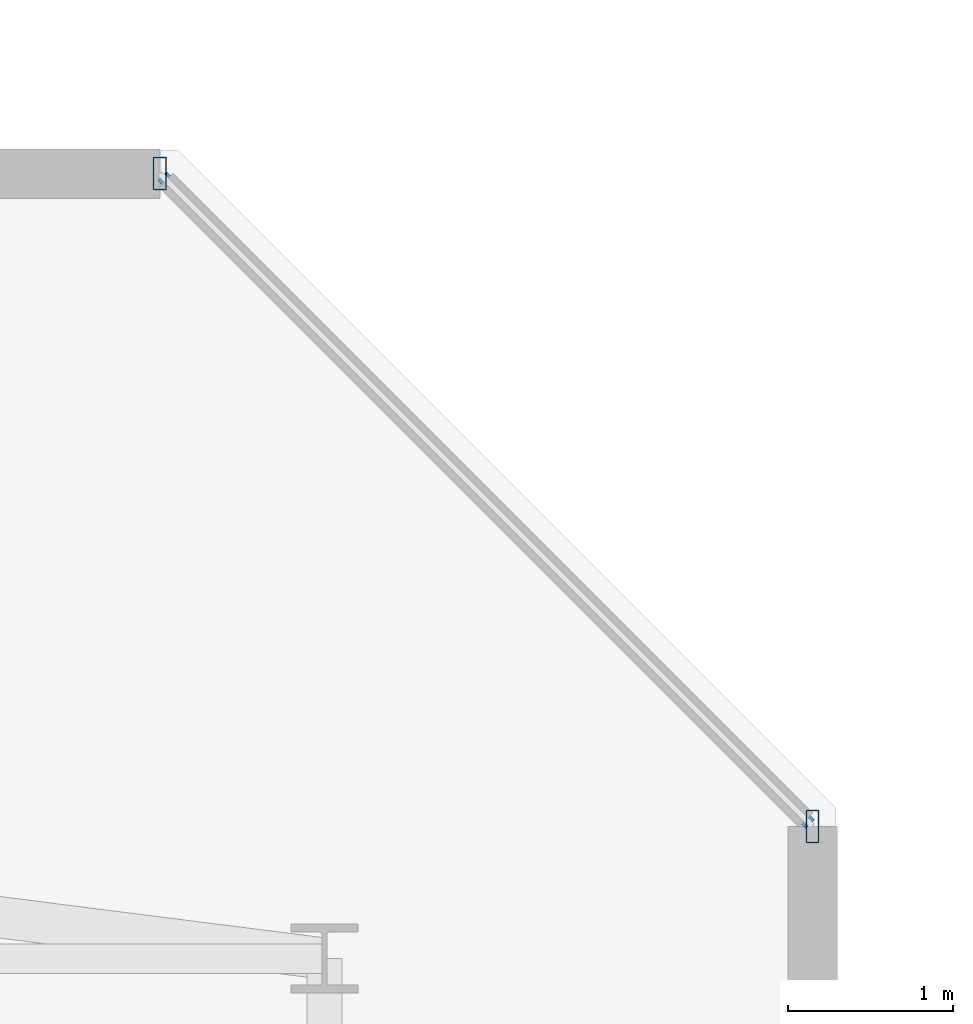
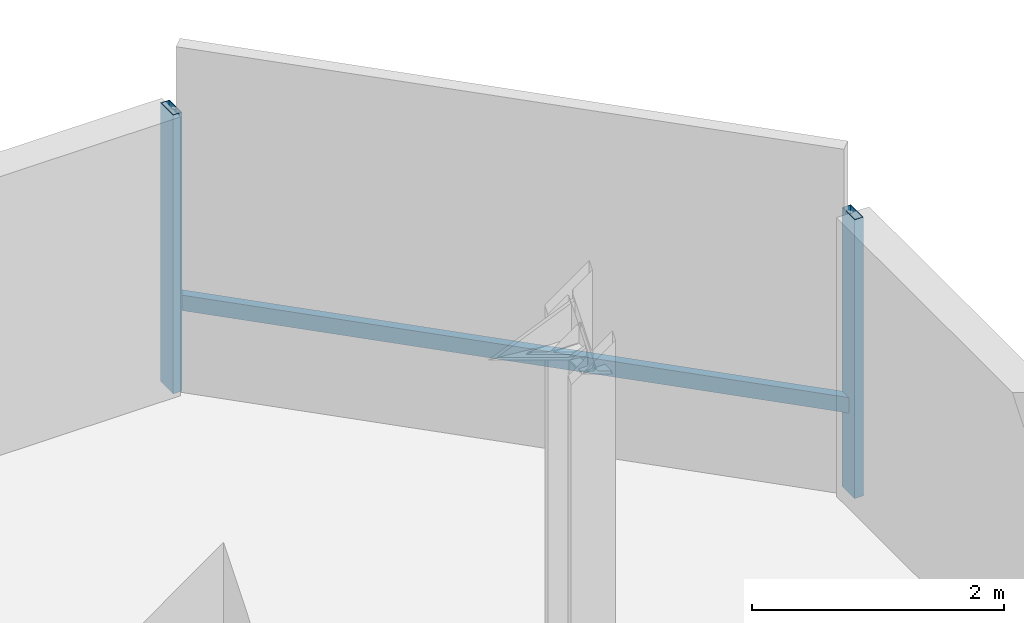
# One storey, part 10 of 32: 3 members, 1 element without a shape of its own.
"""IFC4 building model written with IfcOpenShell, lengths in metres."""

from ifc_helpers import new_model, si_unit, direction, frame, origin, origin_2d, place, context, subcontext, project, spatial, hollow_rectangle, extrude, material, material_profile, profile_set, type_object, element, aggregate, save


model = new_model("IFC4")

# Units and contexts
model_context = context("Model", 3, precision=1e-05, world=origin(), true_north=direction((0.0, 1.0)))
body_context = subcontext(model_context, "Body", "Model", "MODEL_VIEW")
ifc_project = project(units=[si_unit("LENGTHUNIT", "METRE"), si_unit("AREAUNIT", "SQUARE_METRE"), si_unit("VOLUMEUNIT", "CUBIC_METRE"), si_unit("PLANEANGLEUNIT", "RADIAN"), si_unit("MASSUNIT", "GRAM", prefix="KILO")], contexts=[model_context])

# Site, building, storey
site_placement = place(None, origin())
site = spatial("IfcSite", under=ifc_project, at=site_placement, CompositionType="ELEMENT")
building_placement = place(site_placement, origin())
building = spatial("IfcBuilding", under=site, at=building_placement, Name="Thornwick Lancets Civic Towers", CompositionType="ELEMENT")
storey_placement = place(building_placement, frame((0.0, 0.0, 152.699951171875)))
storey = spatial("IfcBuildingStorey", under=building, at=storey_placement, Name="L40", CompositionType="ELEMENT", Elevation=152.699951171875)

# Curtain wall, members
ifc_material_1 = material(Name="Mid-zone chamfered-corner unitised glass curtain wall", Category="glass")
curtain_wall_type = type_object("IfcCurtainWallType", Name="CW_SYS_04", PredefinedType="NOTDEFINED", material=ifc_material_1)
curtain_wall_placement = place(storey_placement, origin())
curtain_wall = element("IfcCurtainWall", 1, at=curtain_wall_placement, inside=storey, type_object=curtain_wall_type, Name="L40 Curtain Wall CW-L40-A-E3", PredefinedType="NOTDEFINED")
ifc_material_2 = material(Name="Thermally broken bronze aluminium S355", Category="steel")
ifc_material_profile_1 = material_profile(ifc_material_2, hollow_rectangle(XDim=0.080078125, YDim=0.199951171875, WallThickness=0.006103515625, at=origin_2d()), Name="RHS 200x80x6")
ifc_profile_set_1 = profile_set([ifc_material_profile_1], Name="Thermally broken bronze aluminium S355")
member_type_1 = type_object("IfcMemberType", Name="CW_MUL_200", PredefinedType="MULLION", material=ifc_profile_set_1)
member_1_placement = place(storey_placement, frame((49.260009765625, 40.8017578125, 0.0), z_axis=(0.0, 0.0, 1.0), x_axis=(1.0, 0.0, 0.0)))
member_1 = element("IfcMember", 2, at=member_1_placement, type_object=member_type_1, Name="CW-L40-A-E3 Mullion 0", PredefinedType="MULLION", context=body_context, shape_type="SweptSolid", body=[
    extrude(hollow_rectangle(XDim=0.080078125, YDim=0.199951171875, WallThickness=0.006103515625, at=origin_2d()), origin(), (0.0, 0.0, 1.0), 2.699951171875),
])
member_2_placement = place(storey_placement, frame((45.3017578125, 44.760009765625, 0.0), z_axis=(0.0, 0.0, 1.0), x_axis=(1.0, 0.0, 0.0)))
member_2 = element("IfcMember", 3, at=member_2_placement, type_object=member_type_1, Name="CW-L40-A-E3 Mullion 1", PredefinedType="MULLION", context=body_context, shape_type="SweptSolid", body=[
    extrude(hollow_rectangle(XDim=0.080078125, YDim=0.199951171875, WallThickness=0.006103515625, at=origin_2d()), origin(), (0.0, 0.0, 1.0), 2.699951171875),
])
ifc_material_profile_2 = material_profile(ifc_material_2, hollow_rectangle(XDim=0.074951171875, YDim=0.14990234375, WallThickness=0.0048828125, at=origin_2d()), Name="RHS 150x75x5")
ifc_profile_set_2 = profile_set([ifc_material_profile_2], Name="Thermally broken bronze aluminium S355")
member_type_2 = type_object("IfcMemberType", Name="CW_TRN_150", PredefinedType="USERDEFINED", material=ifc_profile_set_2)
member_3_placement = place(storey_placement, frame((49.24609375, 40.81591796875, 0.85009765625), z_axis=(-0.707106781187, 0.707106781187, 0.0), x_axis=(-0.707106781187, -0.707106781187, 0.0)))
member_3 = element("IfcMember", 4, at=member_3_placement, type_object=member_type_2, Name="CW-L40-A-E3 Transom 0", ObjectType="TRANSOM", PredefinedType="USERDEFINED", context=body_context, shape_type="SweptSolid", body=[
    extrude(hollow_rectangle(XDim=0.074951171875, YDim=0.14990234375, WallThickness=0.0048828125, at=origin_2d()), origin(), (0.0, 0.0, 1.0), 5.55810546875),
])
aggregate(curtain_wall, [member_1, member_2, member_3])

save(model, "model.ifc")
